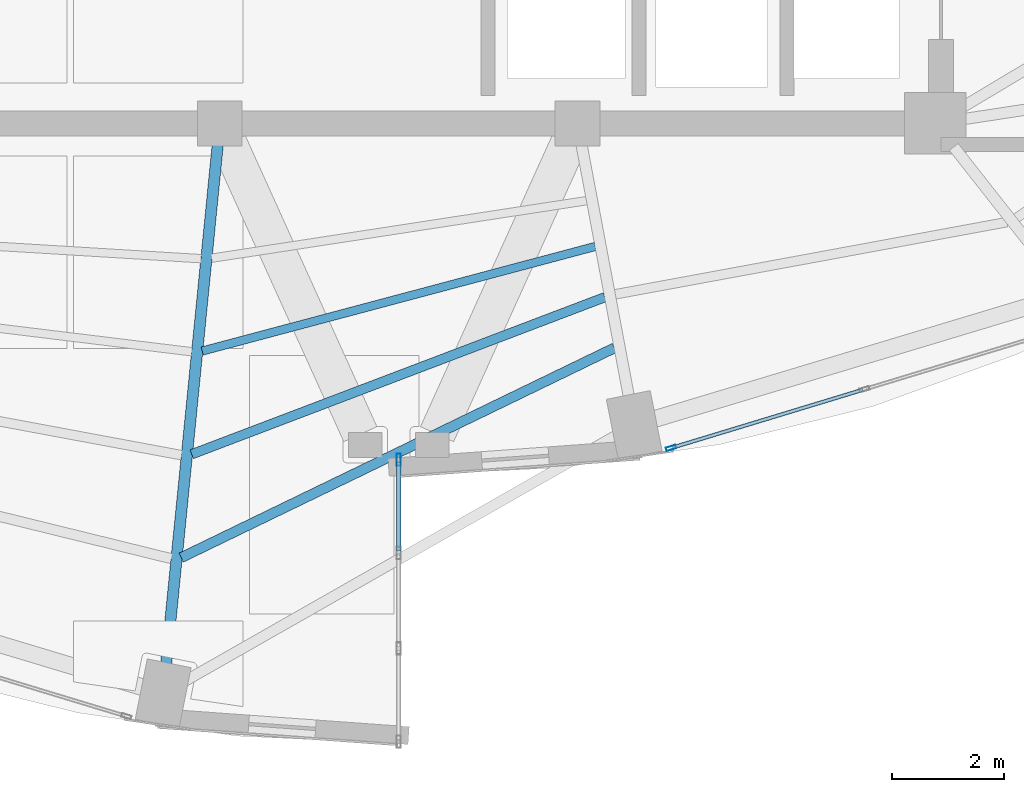
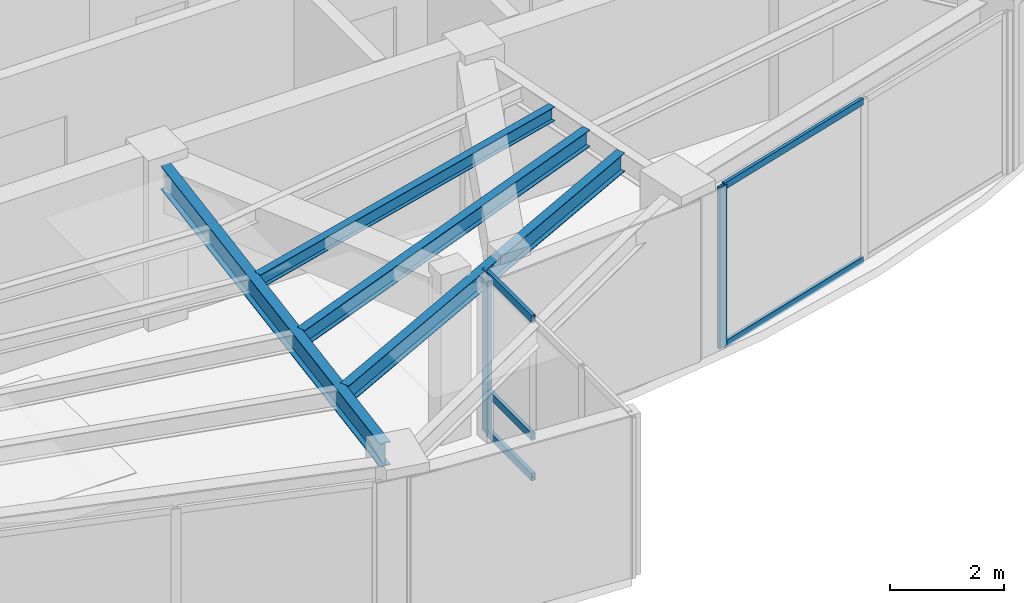
# One storey, part 6 of 22: 7 members, 4 beams, 2 elements without a shape of their own.
"""IFC4 building model written with IfcOpenShell, lengths in metres."""

from ifc_helpers import new_model, si_unit, direction, frame, origin, origin_2d, place, context, subcontext, project, spatial, hollow_rectangle, i_section, extrude, material, layer, layer_set, material_profile, profile_set, type_object, element, aggregate, save


model = new_model("IFC4")

# Units and contexts
model_context = context("Model", 3, precision=1e-05, world=origin(), true_north=direction((0.0, 1.0)))
body_context = subcontext(model_context, "Body", "Model", "MODEL_VIEW")
ifc_project = project(units=[si_unit("LENGTHUNIT", "METRE"), si_unit("AREAUNIT", "SQUARE_METRE"), si_unit("VOLUMEUNIT", "CUBIC_METRE"), si_unit("PLANEANGLEUNIT", "RADIAN"), si_unit("MASSUNIT", "GRAM", prefix="KILO")], contexts=[model_context])

# Site, building, storey
site_placement = place(None, origin())
site = spatial("IfcSite", under=ifc_project, at=site_placement, CompositionType="ELEMENT")
building_placement = place(site_placement, origin())
building = spatial("IfcBuilding", under=site, at=building_placement, Name="Lazwardi Medical Tower", CompositionType="ELEMENT")
storey_placement = place(building_placement, frame((0.0, 0.0, 251.3759765625)))
storey = spatial("IfcBuildingStorey", under=building, at=storey_placement, Name="L65", CompositionType="ELEMENT", Elevation=251.3759765625)

# Beams
ifc_material_1 = material(Name="Steel S355", Category="steel")
ifc_material_profile_1 = material_profile(ifc_material_1, i_section(OverallWidth=0.199951171875, OverallDepth=0.5, WebThickness=0.01025390625, FlangeThickness=0.01611328125, at=origin_2d()), Name="IPE 500")
ifc_profile_set_1 = profile_set([ifc_material_profile_1], Name="Steel S355")
beam_type_1 = type_object("IfcBeamType", Name="BM-RG-W3", PredefinedType="BEAM", material=ifc_profile_set_1)
beam_1_placement = place(storey_placement, frame((31.8388671875, 10.734130859375, 3.197998046875), z_axis=(0.098954361922, 0.995091972763, 0.0), x_axis=(-0.995091972763, 0.098954361922, 0.0)))
element("IfcBeam", 1, at=beam_1_placement, inside=storey, type_object=beam_type_1, Name="Radial girder RG-04 R16 L65", PredefinedType="BEAM", context=body_context, shape_type="SweptSolid", body=[
    extrude(i_section(OverallWidth=0.199951171875, OverallDepth=0.5, WebThickness=0.01025390625, FlangeThickness=0.01611328125, at=origin_2d()), origin(), (0.0, 0.0, 1.0), 9.32861328125),
])
ifc_material_profile_2 = material_profile(ifc_material_1, i_section(OverallWidth=0.179931640625, OverallDepth=0.39990234375, WebThickness=0.008544921875, FlangeThickness=0.013427734375, at=origin_2d()), Name="IPE 400")
ifc_profile_set_2 = profile_set([ifc_material_profile_2], Name="Steel S355")
beam_type_2 = type_object("IfcBeamType", Name="BM-SJ-01", PredefinedType="JOIST", material=ifc_profile_set_2)
beam_2_placement = place(storey_placement, frame((32.10888671875, 12.632080078125, 3.248046875), z_axis=(0.900068885459, 0.435747635024, 0.0), x_axis=(-0.435747635024, 0.900068885459, 0.0)))
element("IfcBeam", 2, at=beam_2_placement, inside=storey, type_object=beam_type_2, Name="Secondary joist SJ-01 R1 B16 L65", PredefinedType="JOIST", context=body_context, shape_type="SweptSolid", body=[
    extrude(i_section(OverallWidth=0.179931640625, OverallDepth=0.39990234375, WebThickness=0.008544921875, FlangeThickness=0.013427734375, at=origin_2d()), origin(), (0.0, 0.0, 1.0), 8.612548828125),
])
ifc_material_profile_3 = material_profile(ifc_material_1, i_section(OverallWidth=0.169921875, OverallDepth=0.360107421875, WebThickness=0.008056640625, FlangeThickness=0.0126953125, at=origin_2d()), Name="IPE 360")
ifc_profile_set_3 = profile_set([ifc_material_profile_3], Name="Steel S355")
beam_type_3 = type_object("IfcBeamType", Name="BM-SJ-02", PredefinedType="JOIST", material=ifc_profile_set_3)
beam_3_placement = place(storey_placement, frame((32.296875, 14.48095703125, 3.26806640625), z_axis=(0.934714470268, 0.355399576633, 0.0), x_axis=(-0.355399576633, 0.934714470268, 0.0)))
element("IfcBeam", 3, at=beam_3_placement, inside=storey, type_object=beam_type_3, Name="Secondary joist SJ-02 R2 B16 L65", PredefinedType="JOIST", context=body_context, shape_type="SweptSolid", body=[
    extrude(i_section(OverallWidth=0.169921875, OverallDepth=0.360107421875, WebThickness=0.008056640625, FlangeThickness=0.0126953125, at=origin_2d()), origin(), (0.0, 0.0, 1.0), 7.908203125),
])
ifc_material_profile_4 = material_profile(ifc_material_1, i_section(OverallWidth=0.14990234375, OverallDepth=0.300048828125, WebThickness=0.007080078125, FlangeThickness=0.0107421875, at=origin_2d()), Name="IPE 300")
ifc_profile_set_4 = profile_set([ifc_material_profile_4], Name="Steel S355")
beam_type_4 = type_object("IfcBeamType", Name="BM-SJ-03", PredefinedType="JOIST", material=ifc_profile_set_4)
beam_4_placement = place(storey_placement, frame((32.484619140625, 16.328125, 3.298095703125), z_axis=(0.966369007826, 0.257159368316, 0.0), x_axis=(-0.257159368316, 0.966369007826, 0.0)))
element("IfcBeam", 4, at=beam_4_placement, inside=storey, type_object=beam_type_4, Name="Secondary joist SJ-03 R3 B16 L65", PredefinedType="JOIST", context=body_context, shape_type="SweptSolid", body=[
    extrude(i_section(OverallWidth=0.14990234375, OverallDepth=0.300048828125, WebThickness=0.007080078125, FlangeThickness=0.0107421875, at=origin_2d()), origin(), (0.0, 0.0, 1.0), 7.27685546875),
])

# Curtain wall, member
ifc_material_2 = material(Name="Anodised bronze aluminium and solar control glazing", Category="aluminium")
ifc_layer_1 = layer(ifc_material_2, 0.2099609375)
ifc_layer_set_1 = layer_set([ifc_layer_1], Name="Anodised bronze aluminium and solar control glazing")
curtain_wall_type_1 = type_object("IfcCurtainWallType", Name="CW-SYS-06", PredefinedType="NOTDEFINED", material=ifc_layer_set_1)
curtain_wall_1_placement = place(storey_placement, origin())
curtain_wall_1 = element("IfcCurtainWall", 5, at=curtain_wall_1_placement, inside=storey, type_object=curtain_wall_type_1, Name="L65 Unitised bronze curtain wall CW-06", PredefinedType="NOTDEFINED")
ifc_material_3 = material(Name="Anodised bronze aluminium", Category="aluminium")
ifc_material_profile_5 = material_profile(ifc_material_3, hollow_rectangle(XDim=0.074951171875, YDim=0.219970703125, WallThickness=0.00390625, at=origin_2d()), Name="ALU-MULLION 220x75x4")
ifc_profile_set_5 = profile_set([ifc_material_profile_5], Name="Anodised bronze aluminium")
member_type_1 = type_object("IfcMemberType", Name="CW-MUL-01", PredefinedType="MULLION", material=ifc_profile_set_5)
member_1_placement = place(storey_placement, frame((36.0, 14.382568359375, 0.0), z_axis=(0.0, 0.0, 1.0), x_axis=(-1.0, 0.0, 0.0)))
member_1 = element("IfcMember", 6, at=member_1_placement, type_object=member_type_1, Name="CW-06 mullion 4", PredefinedType="MULLION", context=body_context, shape_type="SweptSolid", body=[
    extrude(hollow_rectangle(XDim=0.074951171875, YDim=0.219970703125, WallThickness=0.00390625, at=origin_2d()), origin(), (0.0, 0.0, 1.0), 3.447998046875),
])

ifc_layer_2 = layer(ifc_material_2, 0.18994140625)
ifc_layer_set_2 = layer_set([ifc_layer_2], Name="Anodised bronze aluminium and solar control glazing")
curtain_wall_type_2 = type_object("IfcCurtainWallType", Name="CW-SYS-04", PredefinedType="NOTDEFINED", material=ifc_layer_set_2)
curtain_wall_2_placement = place(storey_placement, origin())
curtain_wall_2 = element("IfcCurtainWall", 7, at=curtain_wall_2_placement, inside=storey, type_object=curtain_wall_type_2, Name="L65 Unitised bronze curtain wall CW-04", PredefinedType="NOTDEFINED")
ifc_material_profile_6 = material_profile(ifc_material_3, hollow_rectangle(XDim=0.06494140625, YDim=0.179931640625, WallThickness=0.00390625, at=origin_2d()), Name="ALU-MULLION 180x65x4")
ifc_profile_set_6 = profile_set([ifc_material_profile_6], Name="Anodised bronze aluminium")
member_type_2 = type_object("IfcMemberType", Name="CW-MUL-03", PredefinedType="MULLION", material=ifc_profile_set_6)
member_2_placement = place(storey_placement, frame((40.873046875, 14.593017578125, 0.0), z_axis=(0.0, 0.0, 1.0), x_axis=(-0.290581889515, 0.956850126972, 0.0)))
member_2 = element("IfcMember", 8, at=member_2_placement, type_object=member_type_2, Name="CW-04 mullion 1", PredefinedType="MULLION", context=body_context, shape_type="SweptSolid", body=[
    extrude(hollow_rectangle(XDim=0.06494140625, YDim=0.179931640625, WallThickness=0.00390625, at=origin_2d()), origin(), (0.0, 0.0, 1.0), 3.447998046875),
])

# Member
ifc_material_profile_7 = material_profile(ifc_material_3, hollow_rectangle(XDim=0.074951171875, YDim=0.159912109375, WallThickness=0.00390625, at=origin_2d()), Name="ALU-TRANSOM 160x75x4")
ifc_profile_set_7 = profile_set([ifc_material_profile_7], Name="Anodised bronze aluminium")
member_type_3 = type_object("IfcMemberType", Name="CW-TRN-01", PredefinedType="USERDEFINED", material=ifc_profile_set_7)
member_3_placement = place(storey_placement, frame((36.0, 12.750732421875, 0.03759765625), z_axis=(0.0, 1.0, 0.0), x_axis=(-1.0, 0.0, 0.0)))
member_3 = element("IfcMember", 9, at=member_3_placement, type_object=member_type_3, Name="CW-06 transom 3.1", ObjectType="TRANSOM", PredefinedType="USERDEFINED", context=body_context, shape_type="SweptSolid", body=[
    extrude(hollow_rectangle(XDim=0.074951171875, YDim=0.159912109375, WallThickness=0.00390625, at=origin_2d()), origin(), (0.0, 0.0, 1.0), 1.59423828125),
])

member_4_placement = place(storey_placement, frame((36.0, 12.750732421875, 0.89990234375), z_axis=(0.0, 1.0, 0.0), x_axis=(-1.0, 0.0, 0.0)))
member_4 = element("IfcMember", 10, at=member_4_placement, type_object=member_type_3, Name="CW-06 transom 3.2", ObjectType="TRANSOM", PredefinedType="USERDEFINED", context=body_context, shape_type="SweptSolid", body=[
    extrude(hollow_rectangle(XDim=0.074951171875, YDim=0.159912109375, WallThickness=0.00390625, at=origin_2d()), origin(), (0.0, 0.0, 1.0), 1.59423828125),
])

member_5_placement = place(storey_placement, frame((36.0, 12.750732421875, 3.41064453125), z_axis=(0.0, 1.0, 0.0), x_axis=(-1.0, 0.0, 0.0)))
member_5 = element("IfcMember", 11, at=member_5_placement, type_object=member_type_3, Name="CW-06 transom 3.3", ObjectType="TRANSOM", PredefinedType="USERDEFINED", context=body_context, shape_type="SweptSolid", body=[
    extrude(hollow_rectangle(XDim=0.074951171875, YDim=0.159912109375, WallThickness=0.00390625, at=origin_2d()), origin(), (0.0, 0.0, 1.0), 1.59423828125),
])

aggregate(curtain_wall_1, [member_1, member_3, member_4, member_5])

ifc_material_profile_8 = material_profile(ifc_material_3, hollow_rectangle(XDim=0.06494140625, YDim=0.139892578125, WallThickness=0.00341796875, at=origin_2d()), Name="ALU-TRANSOM 140x65x3.5")
ifc_profile_set_8 = profile_set([ifc_material_profile_8], Name="Anodised bronze aluminium")
member_type_4 = type_object("IfcMemberType", Name="CW-TRN-03", PredefinedType="USERDEFINED", material=ifc_profile_set_8)
member_6_placement = place(storey_placement, frame((40.904296875, 14.602294921875, 0.032470703125), z_axis=(0.956843409009, 0.290604010015, 0.0), x_axis=(-0.290604010015, 0.956843409009, 0.0)))
member_6 = element("IfcMember", 12, at=member_6_placement, type_object=member_type_4, Name="CW-04 transom 1.1", ObjectType="TRANSOM", PredefinedType="USERDEFINED", context=body_context, shape_type="SweptSolid", body=[
    extrude(hollow_rectangle(XDim=0.06494140625, YDim=0.139892578125, WallThickness=0.00341796875, at=origin_2d()), origin(), (0.0, 0.0, 1.0), 3.554443359375),
])

member_7_placement = place(storey_placement, frame((40.904296875, 14.602294921875, 3.41552734375), z_axis=(0.956843409009, 0.290604010015, 0.0), x_axis=(-0.290604010015, 0.956843409009, 0.0)))
member_7 = element("IfcMember", 13, at=member_7_placement, type_object=member_type_4, Name="CW-04 transom 1.2", ObjectType="TRANSOM", PredefinedType="USERDEFINED", context=body_context, shape_type="SweptSolid", body=[
    extrude(hollow_rectangle(XDim=0.06494140625, YDim=0.139892578125, WallThickness=0.00341796875, at=origin_2d()), origin(), (0.0, 0.0, 1.0), 3.554443359375),
])

aggregate(curtain_wall_2, [member_2, member_6, member_7])

save(model, "model.ifc")
